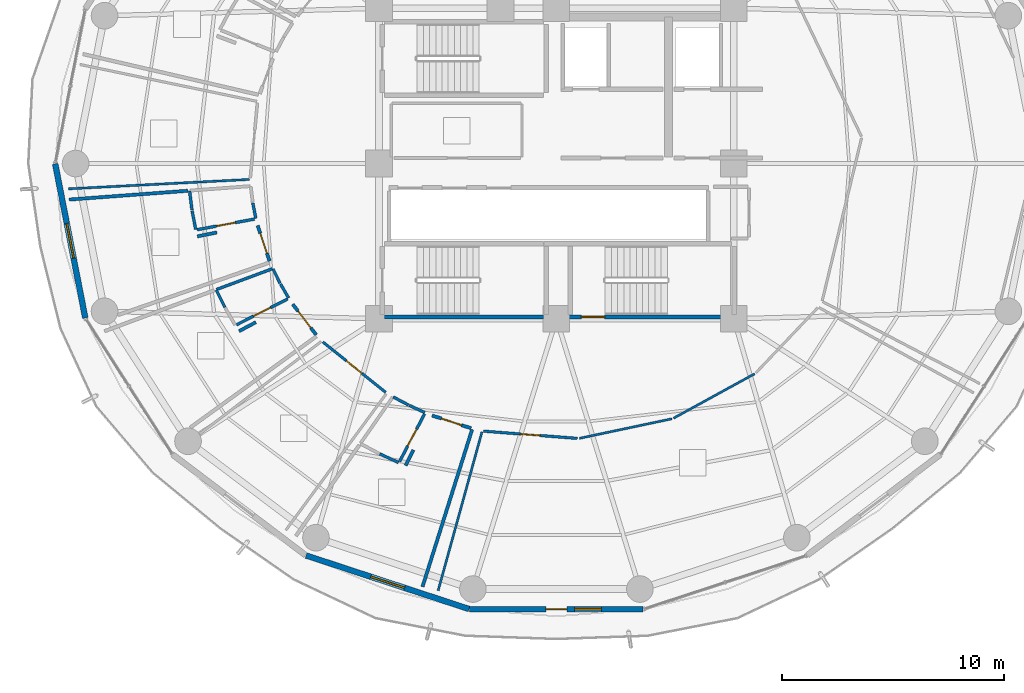
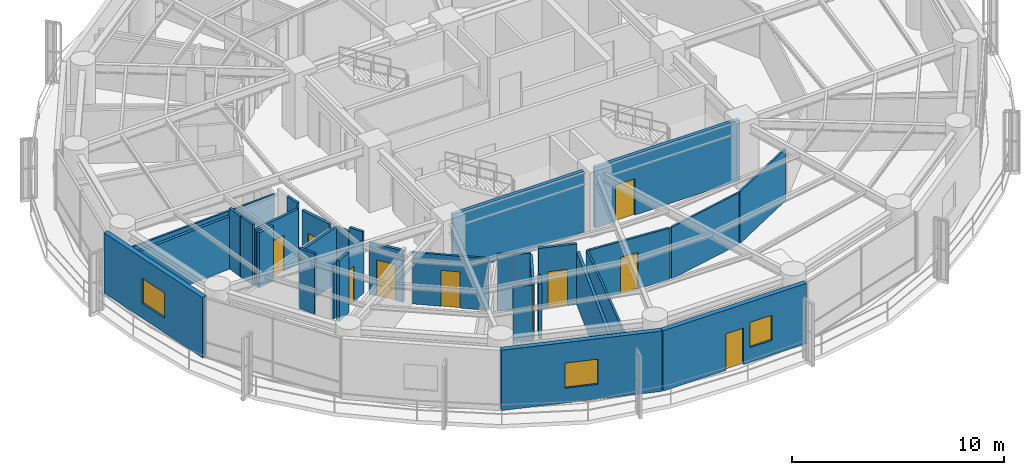
# One storey, part 21 of 27: 32 walls, 10 doors, 3 windows, 13 openings.
"""IFC4 building model written with IfcOpenShell, lengths in metres."""

from ifc_helpers import new_model, si_unit, direction, frame, frame_2d, origin, place, context, subcontext, project, spatial, rectangle, extrude, material, layer, layer_set, type_object, element, fill, save


model = new_model("IFC4")

# Units and contexts
model_context = context("Model", 3, precision=1e-05, world=origin(), true_north=direction((0.0, 1.0)))
body_context = subcontext(model_context, "Body", "Model", "MODEL_VIEW")
ifc_project = project(units=[si_unit("LENGTHUNIT", "METRE"), si_unit("AREAUNIT", "SQUARE_METRE"), si_unit("VOLUMEUNIT", "CUBIC_METRE"), si_unit("PLANEANGLEUNIT", "RADIAN"), si_unit("MASSUNIT", "GRAM", prefix="KILO")], contexts=[model_context])

# Site, building, storey
site_placement = place(None, origin())
site = spatial("IfcSite", under=ifc_project, at=site_placement, CompositionType="ELEMENT")
building_placement = place(site_placement, origin())
building = spatial("IfcBuilding", under=site, at=building_placement, Name="Kelanora Arch Commons", CompositionType="ELEMENT")
storey_placement = place(building_placement, frame((0.0, 0.0, 143.10009765625)))
storey = spatial("IfcBuildingStorey", under=building, at=storey_placement, Name="L36", CompositionType="ELEMENT", Elevation=143.10009765625)

# Wall, opening, door
ifc_material_1 = material(Name="Autoclaved aerated concrete blockwork with fire plaster", Category="masonry")
ifc_layer_1 = layer(ifc_material_1, 0.14990234375)
ifc_layer_set_1 = layer_set([ifc_layer_1], Name="Autoclaved aerated concrete blockwork with fire plaster")
wall_type_1 = type_object("IfcWallType", Name="W-COMP-150", PredefinedType="PARTITIONING", material=ifc_layer_set_1)
wall_1_placement = place(storey_placement, frame((60.529296875, 55.2060546875, 0.0), z_axis=(0.0, 0.0, 1.0), x_axis=(0.319297944841, -0.947654379202, 0.0)))
wall_1 = element("IfcWall", 1, at=wall_1_placement, inside=storey, type_object=wall_type_1, Name="Cluster Bedroom L36-05 Entry Partition", PredefinedType="PARTITIONING", context=body_context, shape_type="SweptSolid", body=[
    extrude(rectangle(XDim=1.69287109375, YDim=0.14990234375, at=frame_2d((0.846435546875, 0.0))), origin(), (0.0, 0.0, 1.0), 3.23486328125),
])
opening_1_placement = place(wall_1_placement, frame((0.37109375, 0.0, 0.0)))
opening_1 = element("IfcOpeningElement", 2, at=opening_1_placement, cuts=wall_1, Name="Opening D-CLU1", PredefinedType="OPENING", context=body_context, shape_type="SweptSolid", body=[
    extrude(rectangle(XDim=0.949951171875, YDim=2.080078125, at=frame_2d((0.47509765625, 1.0400390625))), frame((0.0, 0.0849609375, 0.0), z_axis=(0.0, -1.0, 0.0), x_axis=(1.0, 0.0, 0.0)), (0.0, 0.0, 1.0), 0.169921875),
])
ifc_material_2 = material(Name="Solid-core acoustic timber cluster entry fire door", Category="wood")
door_type_1 = type_object("IfcDoorType", Name="D-CLU-95", OperationType="NOTDEFINED", PredefinedType="DOOR", material=ifc_material_2)
door_1_placement = place(opening_1_placement, origin())
door_1 = element("IfcDoor", 3, at=door_1_placement, inside=storey, type_object=door_type_1, Name="Cluster Bedroom L36-05 Door", OperationType="SINGLE_SWING_RIGHT", OverallHeight=2.080078125, OverallWidth=0.949951171875, PredefinedType="DOOR", context=body_context, shape_type="SweptSolid", body=[
    extrude(rectangle(XDim=0.949951171875, YDim=2.080078125, at=frame_2d((0.47509765625, 1.0400390625))), frame((0.0, 0.02490234375, 0.0), z_axis=(0.0, -1.0, 0.0), x_axis=(1.0, 0.0, 0.0)), (0.0, 0.0, 1.0), 0.050048828125),
])
fill(opening_1, door_1)

wall_2_placement = place(storey_placement, frame((62.110595703125, 51.658447265625, 0.0), z_axis=(0.0, 0.0, 1.0), x_axis=(0.608307977949, -0.793701079729, 0.0)))
wall_2 = element("IfcWall", 4, at=wall_2_placement, inside=storey, type_object=wall_type_1, Name="Cluster Bedroom L36-06 Entry Partition", PredefinedType="PARTITIONING", context=body_context, shape_type="SweptSolid", body=[
    extrude(rectangle(XDim=1.7421875, YDim=0.14990234375, at=frame_2d((0.87109375, 0.0))), origin(), (0.0, 0.0, 1.0), 2.974853515625),
])
opening_2_placement = place(wall_2_placement, frame((0.39599609375, 0.0, 0.0)))
opening_2 = element("IfcOpeningElement", 5, at=opening_2_placement, cuts=wall_2, Name="Opening D-CLU1", PredefinedType="OPENING", context=body_context, shape_type="SweptSolid", body=[
    extrude(rectangle(XDim=0.949951171875, YDim=2.080078125, at=frame_2d((0.47509765625, 1.0400390625))), frame((0.0, 0.0849609375, 0.0), z_axis=(0.0, -1.0, 0.0), x_axis=(1.0, 0.0, 0.0)), (0.0, 0.0, 1.0), 0.169921875),
])
door_2_placement = place(opening_2_placement, origin())
door_2 = element("IfcDoor", 6, at=door_2_placement, inside=storey, type_object=door_type_1, Name="Cluster Bedroom L36-06 Door", OperationType="SINGLE_SWING_RIGHT", OverallHeight=2.080078125, OverallWidth=0.949951171875, PredefinedType="DOOR", context=body_context, shape_type="SweptSolid", body=[
    extrude(rectangle(XDim=0.949951171875, YDim=2.080078125, at=frame_2d((0.47509765625, 1.0400390625))), frame((0.0, 0.02490234375, 0.0), z_axis=(0.0, -1.0, 0.0), x_axis=(1.0, 0.0, 0.0)), (0.0, 0.0, 1.0), 0.050048828125),
])
fill(opening_2, door_2)

wall_3_placement = place(storey_placement, frame((68.39306640625, 46.641357421875, 0.0), z_axis=(0.0, 0.0, 1.0), x_axis=(0.950343295829, -0.311203502668, 0.0)))
wall_3 = element("IfcWall", 7, at=wall_3_placement, inside=storey, type_object=wall_type_1, Name="Cluster Bedroom L36-08 Entry Partition", PredefinedType="PARTITIONING", context=body_context, shape_type="SweptSolid", body=[
    extrude(rectangle(XDim=1.85302734375, YDim=0.14990234375, at=frame_2d((0.926513671875, 0.0))), origin(), (0.0, 0.0, 1.0), 3.47998046875),
])
opening_3_placement = place(wall_3_placement, frame((0.450927734375, 0.0, 0.0)))
opening_3 = element("IfcOpeningElement", 8, at=opening_3_placement, cuts=wall_3, Name="Opening D-CLU1", PredefinedType="OPENING", context=body_context, shape_type="SweptSolid", body=[
    extrude(rectangle(XDim=0.949951171875, YDim=2.080078125, at=frame_2d((0.47509765625, 1.0400390625))), frame((0.0, 0.0849609375, 0.0), z_axis=(0.0, -1.0, 0.0), x_axis=(1.0, 0.0, 0.0)), (0.0, 0.0, 1.0), 0.169921875),
])
door_3_placement = place(opening_3_placement, origin())
door_3 = element("IfcDoor", 9, at=door_3_placement, inside=storey, type_object=door_type_1, Name="Cluster Bedroom L36-08 Door", OperationType="SINGLE_SWING_LEFT", OverallHeight=2.080078125, OverallWidth=0.949951171875, PredefinedType="DOOR", context=body_context, shape_type="SweptSolid", body=[
    extrude(rectangle(XDim=0.949951171875, YDim=2.080078125, at=frame_2d((0.47509765625, 1.0400390625))), frame((0.0, 0.02490234375, 0.0), z_axis=(0.0, -1.0, 0.0), x_axis=(1.0, 0.0, 0.0)), (0.0, 0.0, 1.0), 0.050048828125),
])
fill(opening_3, door_3)

# Walls
wall_4_placement = place(storey_placement, frame((52.033935546875, 56.3740234375, 0.0), z_axis=(0.0, 0.0, 1.0), x_axis=(0.997255565749, 0.074036049215, 0.0)))
element("IfcWall", 10, at=wall_4_placement, inside=storey, type_object=wall_type_1, Name="Cluster Bedroom L36-05 Enclosure Partition 5", PredefinedType="PARTITIONING", context=body_context, shape_type="SweptSolid", body=[
    extrude(rectangle(XDim=5.36181640625, YDim=0.14990234375, at=frame_2d((2.680908203125, 0.0))), origin(), (0.0, 0.0, 1.0), 3.02490234375),
])
wall_5_placement = place(storey_placement, frame((57.812255859375, 54.712890625, 0.0), z_axis=(0.0, 0.0, 1.0), x_axis=(0.979802976843, 0.199965313418, 0.0)))
element("IfcWall", 11, at=wall_5_placement, inside=storey, type_object=wall_type_1, Name="Cluster Bedroom L36-05 Enclosure Partition 7", PredefinedType="PARTITIONING", context=body_context, shape_type="SweptSolid", body=[
    extrude(rectangle(XDim=0.90234375, YDim=0.14990234375, at=frame_2d((0.451171875, 0.0))), origin(), (0.0, 0.0, 1.0), 3.1748046875),
])
wall_6_placement = place(storey_placement, frame((59.690185546875, 50.441650390625, 0.0), z_axis=(0.0, 0.0, 1.0), x_axis=(0.883456769574, 0.468512685308, 0.0)))
element("IfcWall", 12, at=wall_6_placement, inside=storey, type_object=wall_type_1, Name="Cluster Bedroom L36-06 Enclosure Partition 7", PredefinedType="PARTITIONING", context=body_context, shape_type="SweptSolid", body=[
    extrude(rectangle(XDim=0.861328125, YDim=0.14990234375, at=frame_2d((0.4306640625, 0.0))), origin(), (0.0, 0.0, 1.0), 3.47998046875),
])
wall_7_placement = place(storey_placement, frame((70.198974609375, 46.0078125, 0.0), z_axis=(0.0, 0.0, 1.0), x_axis=(-0.300834252316, -0.953676440222, 0.0)))
element("IfcWall", 13, at=wall_7_placement, inside=storey, type_object=wall_type_1, Name="Cluster Bedroom L36-08 Enclosure Partition 2", PredefinedType="PARTITIONING", context=body_context, shape_type="SweptSolid", body=[
    extrude(rectangle(XDim=7.432861328125, YDim=0.14990234375, at=frame_2d((3.71630859375, 0.0))), origin(), (0.0, 0.0, 1.0), 3.02490234375),
])
wall_8_placement = place(storey_placement, frame((67.204833984375, 44.3857421875, 0.0), z_axis=(0.0, 0.0, 1.0), x_axis=(0.445215718224, 0.89542334359, 0.0)))
element("IfcWall", 14, at=wall_8_placement, inside=storey, type_object=wall_type_1, Name="Cluster Bedroom L36-08 Enclosure Partition 7", PredefinedType="PARTITIONING", context=body_context, shape_type="SweptSolid", body=[
    extrude(rectangle(XDim=0.782470703125, YDim=0.14990234375, at=frame_2d((0.39111328125, 0.0))), origin(), (0.0, 0.0, 1.0), 3.1748046875),
])

# Wall, opening, window
ifc_material_3 = material(Name="Precast concrete C40/50 with terracotta rainscreen", Category="masonry")
ifc_layer_2 = layer(ifc_material_3, 0.260009765625)
ifc_layer_set_2 = layer_set([ifc_layer_2], Name="Precast concrete C40/50 with terracotta rainscreen")
wall_type_2 = type_object("IfcWallType", Name="W-EXT-TC", PredefinedType="SOLIDWALL", material=ifc_layer_set_2)
wall_9_placement = place(storey_placement, frame((51.40283203125, 57.9853515625, 0.0), z_axis=(0.0, 0.0, 1.0), x_axis=(0.191716984769, -0.981450252306, 0.0)))
wall_9 = element("IfcWall", 15, at=wall_9_placement, inside=storey, type_object=wall_type_2, Name="Terracotta Exterior Wall L36-B09", PredefinedType="SOLIDWALL", context=body_context, shape_type="SweptSolid", body=[
    extrude(rectangle(XDim=7.0791015625, YDim=0.260009765625, at=frame_2d((3.53955078125, 0.0))), origin(), (0.0, 0.0, 1.0), 3.474853515625),
])
opening_4_placement = place(wall_9_placement, frame((2.739990234375, 0.0, 0.85009765625)))
opening_4 = element("IfcOpeningElement", 16, at=opening_4_placement, cuts=wall_9, Name="Opening WN-01", PredefinedType="OPENING", context=body_context, shape_type="SweptSolid", body=[
    extrude(rectangle(XDim=1.60009765625, YDim=1.449951171875, at=frame_2d((0.800048828125, 0.72509765625))), frame((0.0, 0.14013671875, 0.0), z_axis=(0.0, -1.0, 0.0), x_axis=(1.0, 0.0, 0.0)), (0.0, 0.0, 1.0), 0.280029296875),
])
ifc_material_4 = material(Name="Terracotta-anodised aluminium frame with operable low-E glazing", Category="masonry")
window_type_1 = type_object("IfcWindowType", Name="WIN-CL-18", PartitioningType="DOUBLE_PANEL_VERTICAL", PredefinedType="WINDOW", material=ifc_material_4)
window_1_placement = place(opening_4_placement, origin())
window_1 = element("IfcWindow", 17, at=window_1_placement, inside=storey, type_object=window_type_1, Name="Co-Living Operable Window L36-B09", OverallHeight=1.449951171875, OverallWidth=1.60009765625, PartitioningType="SINGLE_PANEL", PredefinedType="WINDOW", context=body_context, shape_type="SweptSolid", body=[
    extrude(rectangle(XDim=1.60009765625, YDim=1.449951171875, at=frame_2d((0.800048828125, 0.72509765625))), frame((0.0, 0.030029296875, 0.0), z_axis=(0.0, -1.0, 0.0), x_axis=(1.0, 0.0, 0.0)), (0.0, 0.0, 1.0), 0.06005859375),
])
fill(opening_4, window_1)

wall_10_placement = place(storey_placement, frame((62.71435546875, 40.328369140625, 0.0), z_axis=(0.0, 0.0, 1.0), x_axis=(0.950038302428, -0.312133343173, 0.0)))
wall_10 = element("IfcWall", 18, at=wall_10_placement, inside=storey, type_object=wall_type_2, Name="Terracotta Exterior Wall L36-B12", PredefinedType="SOLIDWALL", context=body_context, shape_type="SweptSolid", body=[
    extrude(rectangle(XDim=7.7333984375, YDim=0.260009765625, at=frame_2d((3.86669921875, 0.0))), origin(), (0.0, 0.0, 1.0), 3.474853515625),
])
opening_5_placement = place(wall_10_placement, frame((3.06689453125, 0.0, 0.85009765625)))
opening_5 = element("IfcOpeningElement", 19, at=opening_5_placement, cuts=wall_10, Name="Opening WN-01", PredefinedType="OPENING", context=body_context, shape_type="SweptSolid", body=[
    extrude(rectangle(XDim=1.60009765625, YDim=1.449951171875, at=frame_2d((0.800048828125, 0.72509765625))), frame((0.0, 0.14013671875, 0.0), z_axis=(0.0, -1.0, 0.0), x_axis=(1.0, 0.0, 0.0)), (0.0, 0.0, 1.0), 0.280029296875),
])
window_2_placement = place(opening_5_placement, origin())
window_2 = element("IfcWindow", 20, at=window_2_placement, inside=storey, type_object=window_type_1, Name="Co-Living Operable Window L36-B12", OverallHeight=1.449951171875, OverallWidth=1.60009765625, PartitioningType="SINGLE_PANEL", PredefinedType="WINDOW", context=body_context, shape_type="SweptSolid", body=[
    extrude(rectangle(XDim=1.60009765625, YDim=1.449951171875, at=frame_2d((0.800048828125, 0.72509765625))), frame((0.0, 0.030029296875, 0.0), z_axis=(0.0, -1.0, 0.0), x_axis=(1.0, 0.0, 0.0)), (0.0, 0.0, 1.0), 0.06005859375),
])
fill(opening_5, window_2)

# Wall, openings, door, window
wall_11_placement = place(storey_placement, frame((70.090576171875, 37.909912109375, 0.0), z_axis=(0.0, 0.0, 1.0), x_axis=(1.0, 0.0, 0.0)))
wall_11 = element("IfcWall", 21, at=wall_11_placement, inside=storey, type_object=wall_type_2, Name="Terracotta Exterior Wall L36-B13", PredefinedType="SOLIDWALL", context=body_context, shape_type="SweptSolid", body=[
    extrude(rectangle(XDim=7.81884765625, YDim=0.260009765625, at=frame_2d((3.909423828125, 0.0))), origin(), (0.0, 0.0, 1.0), 3.474853515625),
])
opening_6_placement = place(wall_11_placement, frame((3.43408203125, 0.0, 0.0)))
opening_6 = element("IfcOpeningElement", 22, at=opening_6_placement, cuts=wall_11, Name="Opening DB-01", PredefinedType="OPENING", context=body_context, shape_type="SweptSolid", body=[
    extrude(rectangle(XDim=0.949951171875, YDim=2.10009765625, at=frame_2d((0.47509765625, 1.050048828125))), frame((0.0, 0.14013671875, 0.0), z_axis=(0.0, -1.0, 0.0), x_axis=(1.0, 0.0, 0.0)), (0.0, 0.0, 1.0), 0.280029296875),
])
opening_7_placement = place(wall_11_placement, frame((4.73388671875, 0.0, 0.85009765625)))
opening_7 = element("IfcOpeningElement", 23, at=opening_7_placement, cuts=wall_11, Name="Opening WN-02", PredefinedType="OPENING", context=body_context, shape_type="SweptSolid", body=[
    extrude(rectangle(XDim=1.199951171875, YDim=1.449951171875, at=frame_2d((0.60009765625, 0.72509765625))), frame((0.0, 0.14013671875, 0.0), z_axis=(0.0, -1.0, 0.0), x_axis=(1.0, 0.0, 0.0)), (0.0, 0.0, 1.0), 0.280029296875),
])
ifc_material_5 = material(Name="Terracotta-aluminium thermally broken glazed balcony door", Category="masonry")
door_type_2 = type_object("IfcDoorType", Name="D-BAL-10", OperationType="NOTDEFINED", PredefinedType="DOOR", material=ifc_material_5)
door_4_placement = place(opening_6_placement, frame((0.949951171875, 0.0, 0.0), z_axis=(0.0, 0.0, 1.0), x_axis=(-1.0, 0.0, 0.0)))
door_4 = element("IfcDoor", 24, at=door_4_placement, inside=storey, type_object=door_type_2, Name="Wave Balcony Door L36-B13", OperationType="SINGLE_SWING_RIGHT", OverallHeight=2.10009765625, OverallWidth=0.949951171875, PredefinedType="DOOR", context=body_context, shape_type="SweptSolid", body=[
    extrude(rectangle(XDim=0.949951171875, YDim=2.10009765625, at=frame_2d((0.47509765625, 1.050048828125))), frame((0.0, 0.02490234375, 0.0), z_axis=(0.0, -1.0, 0.0), x_axis=(1.0, 0.0, 0.0)), (0.0, 0.0, 1.0), 0.050048828125),
])
fill(opening_6, door_4)
ifc_material_6 = material(Name="Terracotta-anodised aluminium frame with operable awning sash", Category="masonry")
window_type_2 = type_object("IfcWindowType", Name="WIN-CL-12", PartitioningType="SINGLE_PANEL", PredefinedType="WINDOW", material=ifc_material_6)
window_3_placement = place(opening_7_placement, origin())
window_3 = element("IfcWindow", 25, at=window_3_placement, inside=storey, type_object=window_type_2, Name="Co-Living Operable Window L36-B13", OverallHeight=1.449951171875, OverallWidth=1.199951171875, PartitioningType="SINGLE_PANEL", PredefinedType="WINDOW", context=body_context, shape_type="SweptSolid", body=[
    extrude(rectangle(XDim=1.199951171875, YDim=1.449951171875, at=frame_2d((0.60009765625, 0.72509765625))), frame((0.0, 0.030029296875, 0.0), z_axis=(0.0, -1.0, 0.0), x_axis=(1.0, 0.0, 0.0)), (0.0, 0.0, 1.0), 0.06005859375),
])
fill(opening_7, window_3)

# Walls
ifc_material_7 = material(Name="Lightweight fire-rated acoustic stud partition")
ifc_layer_3 = layer(ifc_material_7, 0.10009765625)
ifc_layer_set_3 = layer_set([ifc_layer_3], Name="Lightweight fire-rated acoustic stud partition")
wall_type_3 = type_object("IfcWallType", Name="W-PART-100", PredefinedType="PARTITIONING", material=ifc_layer_set_3)
wall_12_placement = place(storey_placement, frame((75.0400390625, 45.611328125, 0.0), z_axis=(0.0, 0.0, 1.0), x_axis=(0.978421930287, 0.206616858785, 0.0)))
element("IfcWall", 26, at=wall_12_placement, inside=storey, type_object=wall_type_3, Name="South-East Social Sky Lounge L36 Enclosure Partition 2", PredefinedType="PARTITIONING", context=body_context, shape_type="SweptSolid", body=[
    extrude(rectangle(XDim=4.260986328125, YDim=0.10009765625, at=frame_2d((2.13037109375, 0.0))), origin(), (0.0, 0.0, 1.0), 2.974853515625),
])
wall_13_placement = place(storey_placement, frame((79.283203125, 46.519287109375, 0.0), z_axis=(0.0, 0.0, 1.0), x_axis=(0.876994001609, 0.480501322726, 0.0)))
element("IfcWall", 27, at=wall_13_placement, inside=storey, type_object=wall_type_3, Name="South-East Social Sky Lounge L36 Enclosure Partition 3", PredefinedType="PARTITIONING", context=body_context, shape_type="SweptSolid", body=[
    extrude(rectangle(XDim=4.16748046875, YDim=0.10009765625, at=frame_2d((2.083740234375, 0.0))), origin(), (0.0, 0.0, 1.0), 2.974853515625),
])
wall_14_placement = place(storey_placement, frame((68.668701171875, 38.74951171875, 0.0), z_axis=(0.0, 0.0, 1.0), x_axis=(0.26617364863, 0.963925095002, 0.0)))
element("IfcWall", 28, at=wall_14_placement, inside=storey, type_object=wall_type_3, Name="South-East Social Sky Lounge L36 Enclosure Partition 10", PredefinedType="PARTITIONING", context=body_context, shape_type="SweptSolid", body=[
    extrude(rectangle(XDim=7.41845703125, YDim=0.10009765625, at=frame_2d((3.709228515625, 0.0))), origin(), (0.0, 0.0, 1.0), 3.02490234375),
])
wall_15_placement = place(storey_placement, frame((60.153076171875, 57.281982421875, 0.0), z_axis=(0.0, 0.0, 1.0), x_axis=(-0.998652620107, -0.051893586821, 0.0)))
element("IfcWall", 29, at=wall_15_placement, inside=storey, type_object=wall_type_3, Name="Shared Cluster Kitchen L36-04 Enclosure Partition 2", PredefinedType="PARTITIONING", context=body_context, shape_type="SweptSolid", body=[
    extrude(rectangle(XDim=8.167236328125, YDim=0.10009765625, at=frame_2d((4.08349609375, 0.0))), origin(), (0.0, 0.0, 1.0), 3.02490234375),
])

# Wall, opening, door
ifc_material_8 = material(Name="Acoustic twin-stud fire-rated gypsum partition")
ifc_layer_4 = layer(ifc_material_8, 0.1201171875)
ifc_layer_set_4 = layer_set([ifc_layer_4], Name="Acoustic twin-stud fire-rated gypsum partition")
wall_type_4 = type_object("IfcWallType", Name="W-PART-120", PredefinedType="PARTITIONING", material=ifc_layer_set_4)
wall_16_placement = place(storey_placement, frame((70.7138671875, 45.934326171875, 0.0), z_axis=(0.0, 0.0, 1.0), x_axis=(0.99702766625, -0.077044355613, 0.0)))
wall_16 = element("IfcWall", 30, at=wall_16_placement, inside=storey, type_object=wall_type_4, Name="South-East Social Sky Lounge L36 Entry Partition", PredefinedType="PARTITIONING", context=body_context, shape_type="SweptSolid", body=[
    extrude(rectangle(XDim=4.239990234375, YDim=0.1201171875, at=frame_2d((2.1201171875, 0.0))), origin(), (0.0, 0.0, 1.0), 2.974853515625),
])
opening_8_placement = place(wall_16_placement, frame((1.669921875, 0.0, 0.0)))
opening_8 = element("IfcOpeningElement", 31, at=opening_8_placement, cuts=wall_16, Name="Opening D-RM1", PredefinedType="OPENING", context=body_context, shape_type="SweptSolid", body=[
    extrude(rectangle(XDim=0.89990234375, YDim=2.080078125, at=frame_2d((0.449951171875, 1.0400390625))), frame((0.0, 0.070068359375, 0.0), z_axis=(0.0, -1.0, 0.0), x_axis=(1.0, 0.0, 0.0)), (0.0, 0.0, 1.0), 0.14013671875),
])
ifc_material_9 = material(Name="Acoustic fire-rated timber study and lounge door", Category="wood")
door_type_3 = type_object("IfcDoorType", Name="D-ROOM-90", OperationType="NOTDEFINED", PredefinedType="DOOR", material=ifc_material_9)
door_5_placement = place(opening_8_placement, origin())
door_5 = element("IfcDoor", 32, at=door_5_placement, inside=storey, type_object=door_type_3, Name="South-East Social Sky Lounge L36 Door", OperationType="SINGLE_SWING_RIGHT", OverallHeight=2.080078125, OverallWidth=0.89990234375, PredefinedType="DOOR", context=body_context, shape_type="SweptSolid", body=[
    extrude(rectangle(XDim=0.89990234375, YDim=2.080078125, at=frame_2d((0.449951171875, 1.0400390625))), frame((0.0, 0.02490234375, 0.0), z_axis=(0.0, -1.0, 0.0), x_axis=(1.0, 0.0, 0.0)), (0.0, 0.0, 1.0), 0.050048828125),
])
fill(opening_8, door_5)

wall_17_placement = place(storey_placement, frame((63.4677734375, 49.95654296875, 0.0), z_axis=(0.0, 0.0, 1.0), x_axis=(0.78006790059, -0.625694870099, 0.0)))
wall_17 = element("IfcWall", 33, at=wall_17_placement, inside=storey, type_object=wall_type_4, Name="Social Sky Lounge L36-07 Entry Partition", PredefinedType="PARTITIONING", context=body_context, shape_type="SweptSolid", body=[
    extrude(rectangle(XDim=3.631103515625, YDim=0.1201171875, at=frame_2d((1.8154296875, 0.0))), origin(), (0.0, 0.0, 1.0), 2.974853515625),
])
opening_9_placement = place(wall_17_placement, frame((1.365966796875, 0.0, 0.0)))
opening_9 = element("IfcOpeningElement", 34, at=opening_9_placement, cuts=wall_17, Name="Opening D-RM1", PredefinedType="OPENING", context=body_context, shape_type="SweptSolid", body=[
    extrude(rectangle(XDim=0.89990234375, YDim=2.080078125, at=frame_2d((0.449951171875, 1.0400390625))), frame((0.0, 0.070068359375, 0.0), z_axis=(0.0, -1.0, 0.0), x_axis=(1.0, 0.0, 0.0)), (0.0, 0.0, 1.0), 0.14013671875),
])
door_6_placement = place(opening_9_placement, origin())
door_6 = element("IfcDoor", 35, at=door_6_placement, inside=storey, type_object=door_type_3, Name="Social Sky Lounge L36-07 Door", OperationType="SINGLE_SWING_LEFT", OverallHeight=2.080078125, OverallWidth=0.89990234375, PredefinedType="DOOR", context=body_context, shape_type="SweptSolid", body=[
    extrude(rectangle(XDim=0.89990234375, YDim=2.080078125, at=frame_2d((0.449951171875, 1.0400390625))), frame((0.0, 0.02490234375, 0.0), z_axis=(0.0, -1.0, 0.0), x_axis=(1.0, 0.0, 0.0)), (0.0, 0.0, 1.0), 0.050048828125),
])
fill(opening_9, door_6)

ifc_material_10 = material(Name="Concrete C40/50", Category="concrete")
ifc_layer_5 = layer(ifc_material_10, 0.199951171875)
ifc_layer_set_5 = layer_set([ifc_layer_5], Name="Concrete C40/50")
wall_type_5 = type_object("IfcWallType", Name="W-STAIR-200", PredefinedType="SHEAR", material=ifc_layer_set_5)
wall_18_placement = place(storey_placement, frame((74.0, 51.080078125, 0.0), z_axis=(0.0, 0.0, 1.0), x_axis=(1.0, 0.0, 0.0)))
wall_18 = element("IfcWall", 36, at=wall_18_placement, inside=storey, type_object=wall_type_5, Name="Stair ST-T2 Shaft Wall S L36", PredefinedType="SHEAR", context=body_context, shape_type="SweptSolid", body=[
    extrude(rectangle(XDim=7.89990234375, YDim=0.199951171875, at=frame_2d((3.949951171875, 0.0))), origin(), (0.0, 0.0, 1.0), 3.489990234375),
])
opening_10_placement = place(wall_18_placement, frame((1.1201171875, 0.0, 0.0)))
opening_10 = element("IfcOpeningElement", 37, at=opening_10_placement, cuts=wall_18, Name="Opening D-ST1", PredefinedType="OPENING", context=body_context, shape_type="SweptSolid", body=[
    extrude(rectangle(XDim=1.050048828125, YDim=2.10009765625, at=frame_2d((0.52490234375, 1.050048828125))), frame((0.0, 0.10986328125, 0.0), z_axis=(0.0, -1.0, 0.0), x_axis=(1.0, 0.0, 0.0)), (0.0, 0.0, 1.0), 0.219970703125),
])
ifc_material_11 = material(Name="Steel fire-rated stairwell escape door", Category="steel")
door_type_4 = type_object("IfcDoorType", Name="D-STAIR-110", OperationType="NOTDEFINED", PredefinedType="DOOR", material=ifc_material_11)
door_7_placement = place(opening_10_placement, origin())
door_7 = element("IfcDoor", 38, at=door_7_placement, inside=storey, type_object=door_type_4, Name="Stair ST-T2 Escape Door L36", OperationType="SINGLE_SWING_LEFT", OverallHeight=2.10009765625, OverallWidth=1.050048828125, PredefinedType="DOOR", context=body_context, shape_type="SweptSolid", body=[
    extrude(rectangle(XDim=1.050048828125, YDim=2.10009765625, at=frame_2d((0.52490234375, 1.050048828125))), frame((0.0, 0.02490234375, 0.0), z_axis=(0.0, -1.0, 0.0), x_axis=(1.0, 0.0, 0.0)), (0.0, 0.0, 1.0), 0.050048828125),
])
fill(opening_10, door_7)

# Wall
wall_19_placement = place(storey_placement, frame((66.260009765625, 51.080078125, 0.0), z_axis=(0.0, 0.0, 1.0), x_axis=(1.0, 0.0, 0.0)))
element("IfcWall", 39, at=wall_19_placement, inside=storey, type_object=wall_type_5, Name="Stair ST-T3 Shaft Wall S L36", PredefinedType="SHEAR", context=body_context, shape_type="SweptSolid", body=[
    extrude(rectangle(XDim=7.159912109375, YDim=0.199951171875, at=frame_2d((3.580078125, 0.0))), origin(), (0.0, 0.0, 1.0), 3.489990234375),
])

# Wall, opening, door
ifc_material_12 = material(Name="Moisture-resistant fire-rated cement-board plumbing wall")
ifc_layer_6 = layer(ifc_material_12, 0.1298828125)
ifc_layer_set_6 = layer_set([ifc_layer_6], Name="Moisture-resistant fire-rated cement-board plumbing wall")
wall_type_6 = type_object("IfcWallType", Name="W-WET-120", PredefinedType="PLUMBINGWALL", material=ifc_layer_set_6)
wall_20_placement = place(storey_placement, frame((60.39208984375, 55.49609375, 0.0), z_axis=(0.0, 0.0, 1.0), x_axis=(-0.983321304086, -0.181876916981, 0.0)))
wall_20 = element("IfcWall", 40, at=wall_20_placement, inside=storey, type_object=wall_type_6, Name="En-Suite Shower WC L36-05 Entry Partition", PredefinedType="PLUMBINGWALL", context=body_context, shape_type="SweptSolid", body=[
    extrude(rectangle(XDim=2.635009765625, YDim=0.1298828125, at=frame_2d((1.3173828125, 0.0))), origin(), (0.0, 0.0, 1.0), 3.1748046875),
])
opening_11_placement = place(wall_20_placement, frame((0.886962890625, 0.0, 0.0)))
opening_11 = element("IfcOpeningElement", 41, at=opening_11_placement, cuts=wall_20, Name="Opening D-BT1", PredefinedType="OPENING", context=body_context, shape_type="SweptSolid", body=[
    extrude(rectangle(XDim=0.860107421875, YDim=2.050048828125, at=frame_2d((0.43017578125, 1.02490234375))), frame((0.0, 0.074951171875, 0.0), z_axis=(0.0, -1.0, 0.0), x_axis=(1.0, 0.0, 0.0)), (0.0, 0.0, 1.0), 0.14990234375),
])
ifc_material_13 = material(Name="Moisture-sealed fire-rated accessible bathroom door")
door_type_5 = type_object("IfcDoorType", Name="D-BATH-85", OperationType="NOTDEFINED", PredefinedType="DOOR", material=ifc_material_13)
door_8_placement = place(opening_11_placement, origin())
door_8 = element("IfcDoor", 42, at=door_8_placement, inside=storey, type_object=door_type_5, Name="En-Suite Shower WC L36-05 Door", OperationType="SINGLE_SWING_LEFT", OverallHeight=2.050048828125, OverallWidth=0.860107421875, PredefinedType="DOOR", context=body_context, shape_type="SweptSolid", body=[
    extrude(rectangle(XDim=0.860107421875, YDim=2.050048828125, at=frame_2d((0.43017578125, 1.02490234375))), frame((0.0, 0.02490234375, 0.0), z_axis=(0.0, -1.0, 0.0), x_axis=(1.0, 0.0, 0.0)), (0.0, 0.0, 1.0), 0.050048828125),
])
fill(opening_11, door_8)

wall_21_placement = place(storey_placement, frame((61.882568359375, 51.89501953125, 0.0), z_axis=(0.0, 0.0, 1.0), x_axis=(-0.892490597906, -0.451065995891, 0.0)))
wall_21 = element("IfcWall", 43, at=wall_21_placement, inside=storey, type_object=wall_type_6, Name="En-Suite Shower WC L36-06 Entry Partition", PredefinedType="PLUMBINGWALL", context=body_context, shape_type="SweptSolid", body=[
    extrude(rectangle(XDim=2.582763671875, YDim=0.1298828125, at=frame_2d((1.29150390625, 0.0))), origin(), (0.0, 0.0, 1.0), 2.974853515625),
])
opening_12_placement = place(wall_21_placement, frame((0.861083984375, 0.0, 0.0)))
opening_12 = element("IfcOpeningElement", 44, at=opening_12_placement, cuts=wall_21, Name="Opening D-BT1", PredefinedType="OPENING", context=body_context, shape_type="SweptSolid", body=[
    extrude(rectangle(XDim=0.860107421875, YDim=2.050048828125, at=frame_2d((0.43017578125, 1.02490234375))), frame((0.0, 0.074951171875, 0.0), z_axis=(0.0, -1.0, 0.0), x_axis=(1.0, 0.0, 0.0)), (0.0, 0.0, 1.0), 0.14990234375),
])
door_9_placement = place(opening_12_placement, origin())
door_9 = element("IfcDoor", 45, at=door_9_placement, inside=storey, type_object=door_type_5, Name="En-Suite Shower WC L36-06 Door", OperationType="SINGLE_SWING_LEFT", OverallHeight=2.050048828125, OverallWidth=0.860107421875, PredefinedType="DOOR", context=body_context, shape_type="SweptSolid", body=[
    extrude(rectangle(XDim=0.860107421875, YDim=2.050048828125, at=frame_2d((0.43017578125, 1.02490234375))), frame((0.0, 0.02490234375, 0.0), z_axis=(0.0, -1.0, 0.0), x_axis=(1.0, 0.0, 0.0)), (0.0, 0.0, 1.0), 0.050048828125),
])
fill(opening_12, door_9)

wall_22_placement = place(storey_placement, frame((68.05615234375, 46.7119140625, 0.0), z_axis=(0.0, 0.0, 1.0), x_axis=(-0.464721454244, -0.885456927222, 0.0)))
wall_22 = element("IfcWall", 46, at=wall_22_placement, inside=storey, type_object=wall_type_6, Name="En-Suite Shower WC L36-08 Entry Partition", PredefinedType="PLUMBINGWALL", context=body_context, shape_type="SweptSolid", body=[
    extrude(rectangle(XDim=2.425537109375, YDim=0.1298828125, at=frame_2d((1.212890625, 0.0))), origin(), (0.0, 0.0, 1.0), 3.1748046875),
])
opening_13_placement = place(wall_22_placement, frame((0.782958984375, 0.0, 0.0)))
opening_13 = element("IfcOpeningElement", 47, at=opening_13_placement, cuts=wall_22, Name="Opening D-BT1", PredefinedType="OPENING", context=body_context, shape_type="SweptSolid", body=[
    extrude(rectangle(XDim=0.860107421875, YDim=2.050048828125, at=frame_2d((0.43017578125, 1.02490234375))), frame((0.0, 0.074951171875, 0.0), z_axis=(0.0, -1.0, 0.0), x_axis=(1.0, 0.0, 0.0)), (0.0, 0.0, 1.0), 0.14990234375),
])
door_10_placement = place(opening_13_placement, origin())
door_10 = element("IfcDoor", 48, at=door_10_placement, inside=storey, type_object=door_type_5, Name="En-Suite Shower WC L36-08 Door", OperationType="SINGLE_SWING_RIGHT", OverallHeight=2.050048828125, OverallWidth=0.860107421875, PredefinedType="DOOR", context=body_context, shape_type="SweptSolid", body=[
    extrude(rectangle(XDim=0.860107421875, YDim=2.050048828125, at=frame_2d((0.43017578125, 1.02490234375))), frame((0.0, 0.02490234375, 0.0), z_axis=(0.0, -1.0, 0.0), x_axis=(1.0, 0.0, 0.0)), (0.0, 0.0, 1.0), 0.050048828125),
])
fill(opening_13, door_10)

# Walls
wall_23_placement = place(storey_placement, frame((60.312744140625, 56.221435546875, 0.0), z_axis=(0.0, 0.0, 1.0), x_axis=(0.190075536698, -0.981769469045, 0.0)))
element("IfcWall", 49, at=wall_23_placement, inside=storey, type_object=wall_type_6, Name="En-Suite Shower WC L36-05 Enclosure Partition 2", PredefinedType="PLUMBINGWALL", context=body_context, shape_type="SweptSolid", body=[
    extrude(rectangle(XDim=0.707763671875, YDim=0.1298828125, at=frame_2d((0.35400390625, 0.0))), origin(), (0.0, 0.0, 1.0), 3.47998046875),
])
wall_24_placement = place(storey_placement, frame((57.73828125, 55.025634765625, 0.0), z_axis=(0.0, 0.0, 1.0), x_axis=(-0.189438154161, 0.981892654901, 0.0)))
element("IfcWall", 50, at=wall_24_placement, inside=storey, type_object=wall_type_6, Name="En-Suite Shower WC L36-05 Enclosure Partition 4", PredefinedType="PLUMBINGWALL", context=body_context, shape_type="SweptSolid", body=[
    extrude(rectangle(XDim=0.8583984375, YDim=0.1298828125, at=frame_2d((0.42919921875, 0.0))), origin(), (0.0, 0.0, 1.0), 3.47998046875),
])
wall_25_placement = place(storey_placement, frame((57.569580078125, 55.90771484375, 0.0), z_axis=(0.0, 0.0, 1.0), x_axis=(-0.124069838268, 0.992273488123, 0.0)))
element("IfcWall", 51, at=wall_25_placement, inside=storey, type_object=wall_type_6, Name="En-Suite Shower WC L36-05 Enclosure Partition 5", PredefinedType="PLUMBINGWALL", context=body_context, shape_type="SweptSolid", body=[
    extrude(rectangle(XDim=0.85595703125, YDim=0.1298828125, at=frame_2d((0.427978515625, 0.0))), origin(), (0.0, 0.0, 1.0), 3.47998046875),
])
wall_26_placement = place(storey_placement, frame((61.222900390625, 53.2451171875, 0.0), z_axis=(0.0, 0.0, 1.0), x_axis=(0.445176568549, -0.895442808232, 0.0)))
element("IfcWall", 52, at=wall_26_placement, inside=storey, type_object=wall_type_6, Name="En-Suite Shower WC L36-06 Enclosure Partition 1", PredefinedType="PLUMBINGWALL", context=body_context, shape_type="SweptSolid", body=[
    extrude(rectangle(XDim=0.719482421875, YDim=0.1298828125, at=frame_2d((0.35986328125, 0.0))), origin(), (0.0, 0.0, 1.0), 3.23486328125),
])
wall_27_placement = place(storey_placement, frame((61.56201171875, 52.565673828125, 0.0), z_axis=(0.0, 0.0, 1.0), x_axis=(0.502403748171, -0.864633144069, 0.0)))
element("IfcWall", 53, at=wall_27_placement, inside=storey, type_object=wall_type_6, Name="En-Suite Shower WC L36-06 Enclosure Partition 2", PredefinedType="PLUMBINGWALL", context=body_context, shape_type="SweptSolid", body=[
    extrude(rectangle(XDim=0.724609375, YDim=0.1298828125, at=frame_2d((0.3623046875, 0.0))), origin(), (0.0, 0.0, 1.0), 3.47998046875),
])
wall_28_placement = place(storey_placement, frame((59.05517578125, 51.514892578125, 0.0), z_axis=(0.0, 0.0, 1.0), x_axis=(-0.446317376376, 0.894874739584, 0.0)))
element("IfcWall", 54, at=wall_28_placement, inside=storey, type_object=wall_type_6, Name="En-Suite Shower WC L36-06 Enclosure Partition 5", PredefinedType="PLUMBINGWALL", context=body_context, shape_type="SweptSolid", body=[
    extrude(rectangle(XDim=0.871826171875, YDim=0.1298828125, at=frame_2d((0.43603515625, 0.0))), origin(), (0.0, 0.0, 1.0), 3.47998046875),
])
wall_29_placement = place(storey_placement, frame((58.67578125, 52.320068359375, 0.0), z_axis=(0.0, 0.0, 1.0), x_axis=(0.937399857035, 0.348254946887, 0.0)))
element("IfcWall", 55, at=wall_29_placement, inside=storey, type_object=wall_type_6, Name="En-Suite Shower WC L36-06 Enclosure Partition 6", PredefinedType="PLUMBINGWALL", context=body_context, shape_type="SweptSolid", body=[
    extrude(rectangle(XDim=2.687744140625, YDim=0.1298828125, at=frame_2d((1.34375, 0.0))), origin(), (0.0, 0.0, 1.0), 3.23486328125),
])
wall_30_placement = place(storey_placement, frame((66.647705078125, 47.47265625, 0.0), z_axis=(0.0, 0.0, 1.0), x_axis=(0.884034960309, -0.467420783611, 0.0)))
element("IfcWall", 56, at=wall_30_placement, inside=storey, type_object=wall_type_6, Name="En-Suite Shower WC L36-08 Enclosure Partition 1", PredefinedType="PLUMBINGWALL", context=body_context, shape_type="SweptSolid", body=[
    extrude(rectangle(XDim=0.768798828125, YDim=0.1298828125, at=frame_2d((0.38427734375, 0.0))), origin(), (0.0, 0.0, 1.0), 3.23486328125),
])
wall_31_placement = place(storey_placement, frame((67.36328125, 47.095703125, 0.0), z_axis=(0.0, 0.0, 1.0), x_axis=(0.908835433781, -0.417154832531, 0.0)))
element("IfcWall", 57, at=wall_31_placement, inside=storey, type_object=wall_type_6, Name="En-Suite Shower WC L36-08 Enclosure Partition 2", PredefinedType="PLUMBINGWALL", context=body_context, shape_type="SweptSolid", body=[
    extrude(rectangle(XDim=0.773193359375, YDim=0.1298828125, at=frame_2d((0.38671875, 0.0))), origin(), (0.0, 0.0, 1.0), 3.23486328125),
])
wall_32_placement = place(storey_placement, frame((66.8828125, 44.519287109375, 0.0), z_axis=(0.0, 0.0, 1.0), x_axis=(-0.90885062215, 0.417121740763, 0.0)))
element("IfcWall", 58, at=wall_32_placement, inside=storey, type_object=wall_type_6, Name="En-Suite Shower WC L36-08 Enclosure Partition 4", PredefinedType="PLUMBINGWALL", context=body_context, shape_type="SweptSolid", body=[
    extrude(rectangle(XDim=0.935791015625, YDim=0.1298828125, at=frame_2d((0.4677734375, 0.0))), origin(), (0.0, 0.0, 1.0), 3.1748046875),
])

save(model, "model.ifc")
